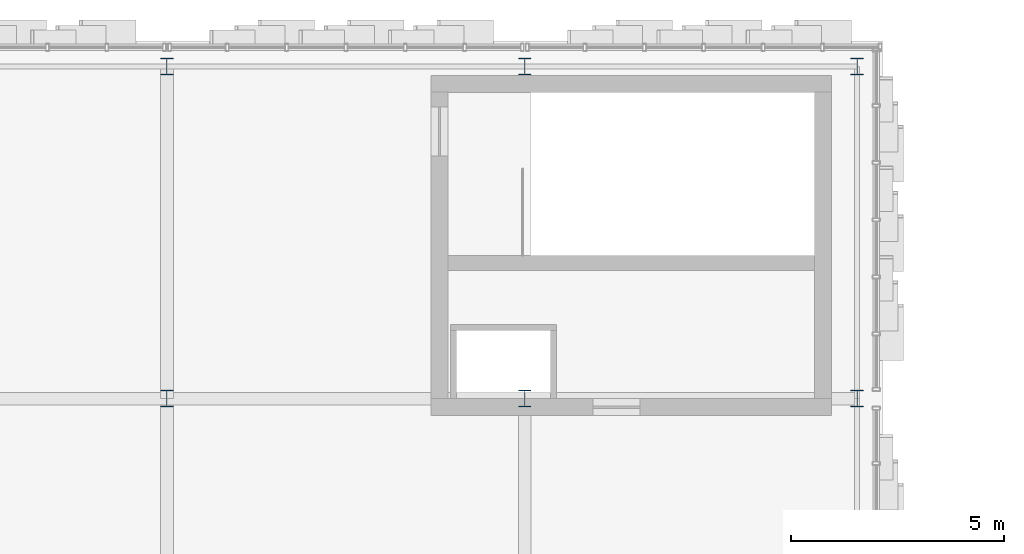
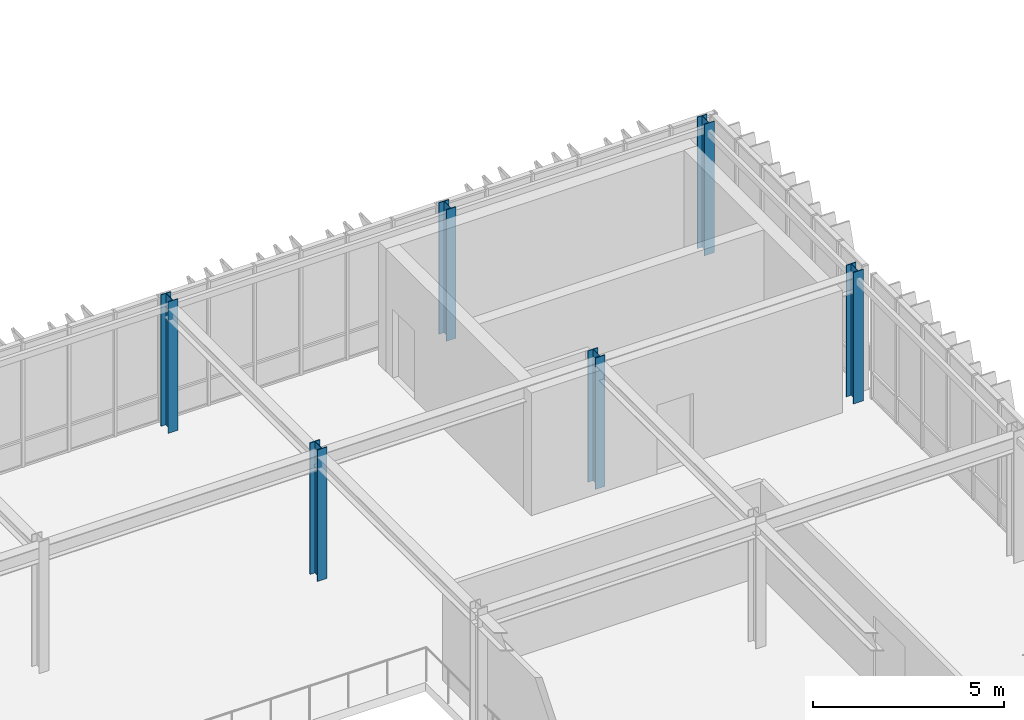
# One storey, part 13 of 123: 6 columns.
"""IFC4 building model written with IfcOpenShell, lengths in metres."""

import ifcopenshell
import ifcopenshell.guid

model = None  # the IFC model being written
_history = None  # IfcOwnerHistory: only IFC2X3 demands one
_inside = {}  # id of a spatial element -> (the spatial element, [elements in it])
_under = {}  # id of a project, library or spatial element -> (it, [spatial elements below it])
_declared = {}  # id of a project -> (the project, [libraries it declares])
_typed = {}  # id of a type object -> (the type object, [elements of that type])
_made_of = {}  # id of a material, layer set ... -> (it, [elements and type objects made of it])


def new_model(schema):
    """Start an empty IFC model of exactly this schema.

    Asked for "IFC4X3", IfcOpenShell would pick the latest addendum, in which some entities
    have other attributes; the version numbers below select the first issue.
    IFC2X3 requires an IfcOwnerHistory on every rooted entity: one is made here for all.
    """
    global model, _history
    if schema == "IFC4X3":
        model = ifcopenshell.file(schema_version=(4, 3, 0, 0))
    else:
        model = ifcopenshell.file(schema=schema)
    _inside.clear()
    _under.clear()
    _declared.clear()
    _typed.clear()
    _made_of.clear()
    _history = None
    if model.schema == "IFC2X3":
        org = make("IfcOrganization", Name="unknown")
        user = make(
            "IfcPersonAndOrganization",
            ThePerson=make("IfcPerson", FamilyName="unknown"),
            TheOrganization=org,
        )
        app = make(
            "IfcApplication",
            ApplicationDeveloper=org,
            Version="unknown",
            ApplicationFullName="unknown",
            ApplicationIdentifier="unknown",
        )
        _history = make(
            "IfcOwnerHistory",
            OwningUser=user,
            OwningApplication=app,
            ChangeAction="ADDED",
            CreationDate=0,
        )
    return model


def make(cls, **values):
    """One entity of the class cls with the attributes given. An attribute that is None is left unset."""
    return model.create_entity(
        cls, **{name: value for name, value in values.items() if value is not None}
    )


def rooted(cls, **values):
    """An entity with a GlobalId (a new one), such as an element, a storey or a relation."""
    return make(cls, GlobalId=ifcopenshell.guid.new(), OwnerHistory=_history, **values)


def si_unit(unit_type, name, prefix=None):
    """IfcSIUnit, for example si_unit("LENGTHUNIT", "METRE", prefix="MILLI")."""
    return make("IfcSIUnit", UnitType=unit_type, Prefix=prefix, Name=name)


def assignment(units):
    """IfcUnitAssignment: the units of a project."""
    return None if units is None else make("IfcUnitAssignment", Units=units)


def point(xyz):
    """IfcCartesianPoint."""
    return None if xyz is None else make("IfcCartesianPoint", Coordinates=xyz)


def direction(xyz):
    """IfcDirection."""
    return None if xyz is None else make("IfcDirection", DirectionRatios=xyz)


def frame(location, z_axis=None, x_axis=None):
    """IfcAxis2Placement3D, a coordinate frame: its origin and axes. An axis left out is left unset."""
    return make(
        "IfcAxis2Placement3D",
        Location=point(location),
        Axis=direction(z_axis),
        RefDirection=direction(x_axis),
    )


def frame_2d(location, x_axis=None):
    """IfcAxis2Placement2D, a coordinate frame in the plane: its origin and x axis."""
    return make(
        "IfcAxis2Placement2D", Location=point(location), RefDirection=direction(x_axis)
    )


def origin():
    """The frame at (0, 0, 0) with its axes left unset."""
    return frame((0.0, 0.0, 0.0))


def origin_2d():
    """The frame at (0, 0) in the plane with its x axis left unset."""
    return frame_2d((0.0, 0.0))


def place(relative_to, where):
    """IfcLocalPlacement: puts the frame where relative to a parent placement (None: the world)."""
    return make(
        "IfcLocalPlacement", PlacementRelTo=relative_to, RelativePlacement=where
    )


def context(
    kind, dimensions, precision=None, world=None, true_north=None, identifier=None
):
    """IfcGeometricRepresentationContext, for example the 3D "Model" context."""
    return make(
        "IfcGeometricRepresentationContext",
        ContextIdentifier=identifier,
        ContextType=kind,
        CoordinateSpaceDimension=dimensions,
        Precision=precision,
        WorldCoordinateSystem=world,
        TrueNorth=true_north,
    )


def subcontext(parent, identifier, kind, view, scale=None):
    """IfcGeometricRepresentationSubContext, for example "Body" below "Model"."""
    return make(
        "IfcGeometricRepresentationSubContext",
        ContextIdentifier=identifier,
        ContextType=kind,
        ParentContext=parent,
        TargetScale=scale,
        TargetView=view,
    )


def project(units=None, contexts=None):
    """IfcProject with its units and contexts."""
    return rooted(
        "IfcProject",
        Name="project",
        RepresentationContexts=contexts,
        UnitsInContext=assignment(units),
    )


def spatial(cls, under=None, at=None, **own):
    """A site, building, storey or space (cls), placed at a placement, below another one or the project."""
    s = rooted(cls, ObjectPlacement=at, **own)
    if under is not None:
        _under.setdefault(under.id(), (under, []))[1].append(s)
    return s


def profile(cls, at=None, kind="AREA", **sizes):
    """A parametric profile (cls). Its sizes go by their IFC names, for example OverallWidth=200.0."""
    return make(cls, ProfileType=kind, Position=at, **sizes)


def i_section(**sizes):
    """IfcIShapeProfileDef."""
    return profile("IfcIShapeProfileDef", **sizes)


def extrude(swept, where, along, depth):
    """IfcExtrudedAreaSolid: the profile swept, set in the frame where, extruded along a direction by depth."""
    return make(
        "IfcExtrudedAreaSolid",
        SweptArea=swept,
        Position=where,
        ExtrudedDirection=direction(along),
        Depth=depth,
    )


def shape(context_of_items, identifier, shape_type, items):
    """IfcShapeRepresentation: the items that make up one representation, for example the "Body"."""
    return make(
        "IfcShapeRepresentation",
        ContextOfItems=context_of_items,
        RepresentationIdentifier=identifier,
        RepresentationType=shape_type,
        Items=items,
    )


def material(Name=None, Category=None):
    """IfcMaterial."""
    return make("IfcMaterial", Name=Name, Category=Category)


def material_profile(
    of_material, cross_section, Name=None, Category=None, Priority=None
):
    """IfcMaterialProfile: a cross section and its material."""
    return make(
        "IfcMaterialProfile",
        Name=Name,
        Material=of_material,
        Profile=cross_section,
        Priority=Priority,
        Category=Category,
    )


def profile_set(profiles, Name=None, composite=None):
    """IfcMaterialProfileSet."""
    return make(
        "IfcMaterialProfileSet",
        Name=Name,
        MaterialProfiles=profiles,
        CompositeProfile=composite,
    )


def made_of(thing, what):
    """Note that an element or type object is made of a material, layer set ...; save() writes the relation."""
    if what is not None:
        _made_of.setdefault(what.id(), (what, []))[1].append(thing)
    return thing


def type_object(cls, material=None, **own):
    """A type object (cls), such as IfcWallType, which elements share."""
    return made_of(rooted(cls, **own), material)


def element(
    cls,
    number,
    at=None,
    inside=None,
    cuts=None,
    type_object=None,
    material=None,
    context=None,
    identifier="Body",
    shape_type=None,
    held_by="IfcProductDefinitionShape",
    body=None,
    shapes=None,
    **own,
):
    """One element of the class cls, such as IfcWall. Its Tag is "e" and its number.

    at: its placement. inside: the storey or other place that contains it. cuts: it is an
    opening in that element (IfcRelVoidsElement). A single representation is given by context,
    identifier, shape_type and body (its items); several are given by shapes. held_by: the class
    of the entity that holds the representations. save() writes the other relations.
    """
    e = rooted(cls, Tag="e%d" % number, ObjectPlacement=at, **own)
    if body is not None:
        shapes = [shape(context, identifier, shape_type, body)]
    if shapes is not None:
        e.Representation = make(held_by, Representations=shapes)
    if inside is not None:
        _inside.setdefault(inside.id(), (inside, []))[1].append(e)
    if cuts is not None:
        rooted(
            "IfcRelVoidsElement", RelatingBuildingElement=cuts, RelatedOpeningElement=e
        )
    if type_object is not None:
        _typed.setdefault(type_object.id(), (type_object, []))[1].append(e)
    return made_of(e, material)


def aggregate(whole, parts):
    """IfcRelAggregates: a whole, such as a stair, and the parts it consists of."""
    return rooted("IfcRelAggregates", RelatingObject=whole, RelatedObjects=parts)


def save(model, path):
    """Write the relations noted so far, then the file.

    IfcRelAggregates (storeys below a building ...), IfcRelContainedInSpatialStructure (elements
    in a storey), IfcRelDefinesByType, IfcRelAssociatesMaterial and IfcRelDeclares: one each for
    every whole, place, type object, material and project.
    """
    for whole, parts in _under.values():
        aggregate(whole, parts)
    for where, things in _inside.values():
        rooted(
            "IfcRelContainedInSpatialStructure",
            RelatedElements=things,
            RelatingStructure=where,
        )
    for kind, things in _typed.values():
        rooted("IfcRelDefinesByType", RelatedObjects=things, RelatingType=kind)
    for what, things in _made_of.values():
        rooted("IfcRelAssociatesMaterial", RelatedObjects=things, RelatingMaterial=what)
    for by, libraries in _declared.values():
        rooted("IfcRelDeclares", RelatingContext=by, RelatedDefinitions=libraries)
    model.write(path)


model = new_model("IFC4")

# Units and contexts
model_context = context("Model", 3, precision=1e-05, world=origin(), true_north=direction((0.0, 1.0)))
body_context = subcontext(model_context, "Body", "Model", "MODEL_VIEW")
ifc_project = project(units=[si_unit("LENGTHUNIT", "METRE"), si_unit("AREAUNIT", "SQUARE_METRE"), si_unit("VOLUMEUNIT", "CUBIC_METRE"), si_unit("PLANEANGLEUNIT", "RADIAN"), si_unit("MASSUNIT", "GRAM", prefix="KILO")], contexts=[model_context])

# Site, building, storey
site_placement = place(None, origin())
site = spatial("IfcSite", under=ifc_project, at=site_placement, CompositionType="ELEMENT")
building_placement = place(site_placement, origin())
building = spatial("IfcBuilding", under=site, at=building_placement, Name="Zayran Congress Hotel", CompositionType="ELEMENT")
storey_placement = place(building_placement, frame((0.0, 0.0, 15.0)))
storey = spatial("IfcBuildingStorey", under=building, at=storey_placement, Name="L03", CompositionType="ELEMENT", Elevation=15.0)

# Columns
ifc_material = material(Name="Steel S355", Category="steel")
ifc_material_profile = material_profile(ifc_material, i_section(OverallWidth=0.300048828125, OverallDepth=0.39990234375, WebThickness=0.013427734375, FlangeThickness=0.02392578125, at=origin_2d()), Name="HEB 400")
ifc_profile_set = profile_set([ifc_material_profile], Name="Steel S355")
column_type = type_object("IfcColumnType", Name="TP-CL-07", PredefinedType="COLUMN", material=ifc_profile_set)
for number, where, z_axis, x_axis, name in (
    (1, (75.60009765625, 109.60009765625, 0.0), (0.0, 0.0, 1.0), (1.0, 0.0, 0.0), "COL-V1-L03-0505"),
    (2, (75.60009765625, 117.39990234375, 0.0), (0.0, 0.0, 1.0), (1.0, 0.0, 0.0), "COL-V1-L03-0506"),
    (3, (84.0, 109.60009765625, 0.0), (0.0, 0.0, 1.0), (1.0, 0.0, 0.0), "COL-V1-L03-0512"),
    (4, (84.0, 117.39990234375, 0.0), (0.0, 0.0, 1.0), (1.0, 0.0, 0.0), "COL-V1-L03-0513"),
    (5, (91.800048828125, 109.60009765625, 0.0), (0.0, 0.0, 1.0), (1.0, 0.0, 0.0), "COL-V1-L03-0519"),
    (6, (91.800048828125, 117.39990234375, 0.0), (0.0, 0.0, 1.0), (1.0, 0.0, 0.0), "COL-V1-L03-0520"),
):
    element("IfcColumn", number, at=place(storey_placement, frame(where, z_axis=z_axis, x_axis=x_axis)), inside=storey, type_object=column_type, Name=name, PredefinedType="COLUMN", context=body_context, shape_type="SweptSolid", body=[
        extrude(i_section(OverallWidth=0.300048828125, OverallDepth=0.39990234375, WebThickness=0.013427734375, FlangeThickness=0.02392578125, at=origin_2d()), origin(), (0.0, 0.0, 1.0), 4.199951171875),
    ])

save(model, "model.ifc")
